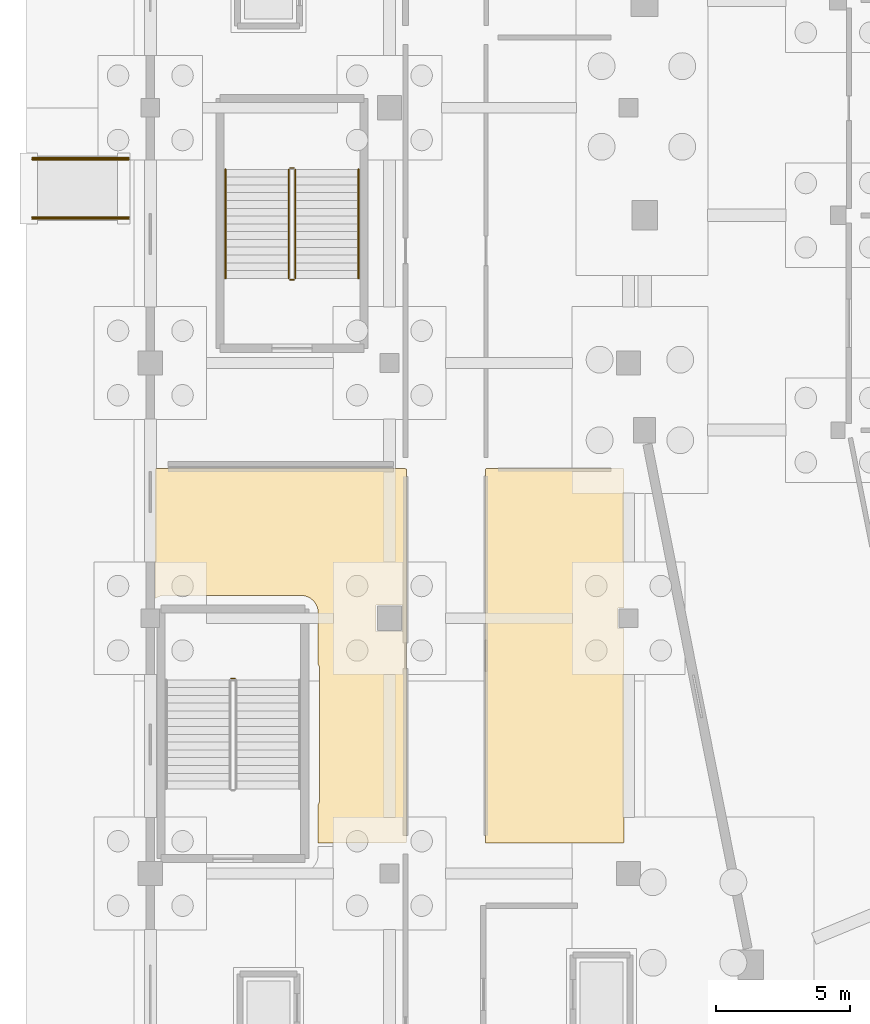
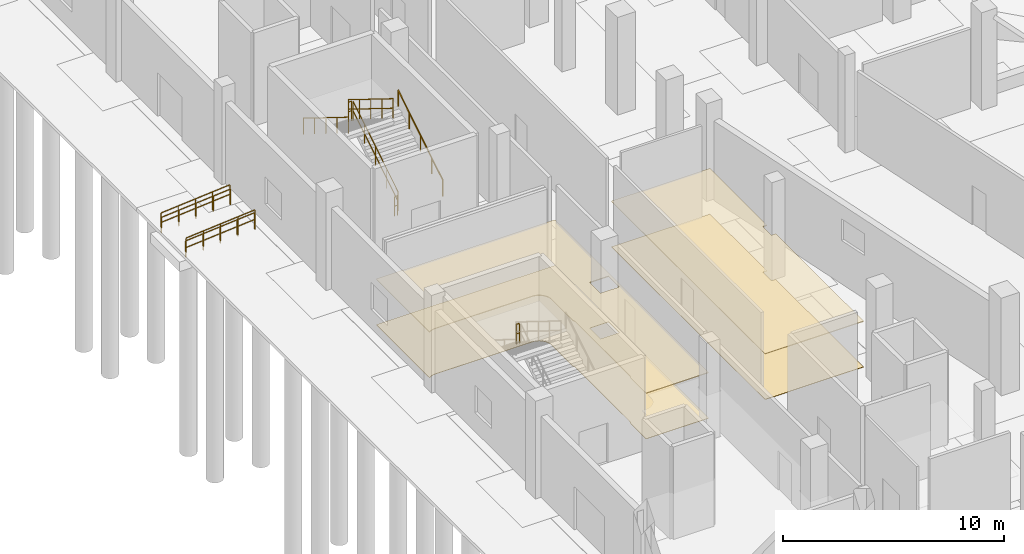
# One storey, part 52 of 68: 11 railings, 4 coverings.
"""IFC4 building model written with IfcOpenShell, lengths in metres."""

from ifc_helpers import new_model, si_unit, direction, frame, origin, origin_2d, place, context, subcontext, project, spatial, polyline, circle, outline, extrude, material, layer, layer_set, type_object, element, save


model = new_model("IFC4")

# Units and contexts
model_context = context("Model", 3, precision=1e-05, world=origin(), true_north=direction((0.0, 1.0)))
body_context = subcontext(model_context, "Body", "Model", "MODEL_VIEW")
ifc_project = project(units=[si_unit("LENGTHUNIT", "METRE"), si_unit("AREAUNIT", "SQUARE_METRE"), si_unit("VOLUMEUNIT", "CUBIC_METRE"), si_unit("PLANEANGLEUNIT", "RADIAN"), si_unit("MASSUNIT", "GRAM", prefix="KILO")], contexts=[model_context])

# Site, building, storey
site_placement = place(None, origin())
site = spatial("IfcSite", under=ifc_project, at=site_placement, CompositionType="ELEMENT")
building_placement = place(site_placement, origin())
building = spatial("IfcBuilding", under=site, at=building_placement, Name="Candeia Ridge Stadium", CompositionType="ELEMENT")
storey_placement = place(building_placement, origin())
storey = spatial("IfcBuildingStorey", under=building, at=storey_placement, Name="L00", CompositionType="ELEMENT", Elevation=0.0)

# Coverings
ifc_material_1 = material(Name="Perforated Acoustic Gypsum", Category="gypsum")
ifc_layer_1 = layer(ifc_material_1, 0.034912109375, Name="Perforated Acoustic Gypsum", Category="gypsum")
ifc_layer_set_1 = layer_set([ifc_layer_1], Name="Perforated Acoustic Gypsum")
covering_type_1 = type_object("IfcCoveringType", Name="Perforated Gypsum Acoustic Ceiling 35", PredefinedType="CEILING", material=ifc_layer_set_1)
covering_1_placement = place(storey_placement, frame((0.0, 0.0, 2.510009765625)))
element("IfcCovering", 1, at=covering_1_placement, inside=storey, type_object=covering_type_1, Name="Acoustic ceiling Match Officials & Referee Suite", PredefinedType="CEILING", context=body_context, shape_type="SweptSolid", body=[
    extrude(outline(polyline([(0.77001953125, 69.535888671875), (0.77001953125, 69.538818359375), (0.7705078125, 69.5419921875), (0.771240234375, 69.544677734375), (0.772216796875, 69.547607421875), (0.7734375, 69.550048828125), (0.775146484375, 69.552734375), (0.77685546875, 69.554931640625), (0.77880859375, 69.55712890625), (0.781005859375, 69.55908203125), (0.783203125, 69.560791015625), (0.785888671875, 69.5625), (0.78857421875, 69.563720703125), (0.791259765625, 69.564697265625), (0.794189453125, 69.5654296875), (0.797119140625, 69.56591796875), (0.800048828125, 69.56591796875), (10.10009765625, 69.56591796875), (10.102783203125, 69.56591796875), (10.10595703125, 69.5654296875), (10.108642578125, 69.564697265625), (10.111572265625, 69.563720703125), (10.114013671875, 69.5625), (10.11669921875, 69.560791015625), (10.118896484375, 69.55908203125), (10.12109375, 69.55712890625), (10.123291015625, 69.554931640625), (10.125, 69.552734375), (10.12646484375, 69.550048828125), (10.127685546875, 69.547607421875), (10.128662109375, 69.544677734375), (10.12939453125, 69.5419921875), (10.1298828125, 69.538818359375), (10.1298828125, 69.535888671875), (10.1298828125, 55.669921875), (10.1298828125, 55.6669921875), (10.12939453125, 55.6640625), (10.128662109375, 55.661376953125), (10.127685546875, 55.658447265625), (10.12646484375, 55.656005859375), (10.125, 55.6533203125), (10.123291015625, 55.65087890625), (10.12109375, 55.648681640625), (10.118896484375, 55.646728515625), (10.11669921875, 55.64501953125), (10.114013671875, 55.6435546875), (10.111572265625, 55.642333984375), (10.108642578125, 55.641357421875), (10.10595703125, 55.640625), (10.102783203125, 55.64013671875), (10.10009765625, 55.639892578125), (6.85009765625, 55.639892578125), (6.85009765625, 57.070556640625), (6.858642578125, 57.0849609375), (6.873291015625, 57.1162109375), (6.885009765625, 57.1484375), (6.893310546875, 57.181640625), (6.898193359375, 57.2158203125), (6.89990234375, 57.25), (6.89990234375, 62.110107421875), (6.898193359375, 62.144287109375), (6.893310546875, 62.17822265625), (6.885009765625, 62.211669921875), (6.873291015625, 62.243896484375), (6.858642578125, 62.27490234375), (6.85009765625, 62.28955078125), (6.85009765625, 64.199951171875), (6.849609375, 64.21728515625), (6.84814453125, 64.24658203125), (6.8447265625, 64.28076171875), (6.84033203125, 64.309814453125), (6.833740234375, 64.343505859375), (6.82666015625, 64.3720703125), (6.816650390625, 64.405029296875), (6.806640625, 64.4326171875), (6.793701171875, 64.46435546875), (6.781005859375, 64.4912109375), (6.764892578125, 64.521484375), (6.74951171875, 64.546630859375), (6.730712890625, 64.5751953125), (6.712890625, 64.598876953125), (6.691162109375, 64.62548828125), (6.67138671875, 64.647216796875), (6.647216796875, 64.67138671875), (6.62548828125, 64.691162109375), (6.598876953125, 64.712890625), (6.5751953125, 64.730712890625), (6.546630859375, 64.74951171875), (6.521484375, 64.764892578125), (6.4912109375, 64.781005859375), (6.46435546875, 64.793701171875), (6.4326171875, 64.806640625), (6.405029296875, 64.816650390625), (6.3720703125, 64.82666015625), (6.343505859375, 64.833740234375), (6.309814453125, 64.84033203125), (6.28076171875, 64.8447265625), (6.24658203125, 64.84814453125), (6.21728515625, 64.849609375), (6.199951171875, 64.85009765625), (1.14990234375, 64.85009765625), (1.1328125, 64.849609375), (1.103515625, 64.84814453125), (1.069091796875, 64.8447265625), (1.0400390625, 64.84033203125), (1.00634765625, 64.833740234375), (0.977783203125, 64.82666015625), (0.945068359375, 64.816650390625), (0.917236328125, 64.806640625), (0.885498046875, 64.793701171875), (0.85888671875, 64.781005859375), (0.82861328125, 64.764892578125), (0.803466796875, 64.74951171875), (0.77490234375, 64.730712890625), (0.77001953125, 64.72705078125), (0.77001953125, 69.535888671875)]), holes=[polyline([(9.989990234375, 64.489990234375), (9.010009765625, 64.489990234375), (9.010009765625, 63.510009765625), (9.989990234375, 63.510009765625), (9.989990234375, 64.489990234375)])]), origin(), (0.0, 0.0, 1.0), 0.0400390625),
])
covering_2_placement = place(storey_placement, frame((0.0, 0.0, 2.510009765625)))
element("IfcCovering", 2, at=covering_2_placement, inside=storey, type_object=covering_type_1, Name="Acoustic ceiling Match Officials & Referee Suite Annex", PredefinedType="CEILING", context=body_context, shape_type="SweptSolid", body=[
    extrude(outline(polyline([(13.093994140625, 55.640625), (13.09130859375, 55.641357421875), (13.08837890625, 55.642333984375), (13.0859375, 55.6435546875), (13.083251953125, 55.64501953125), (13.0810546875, 55.646728515625), (13.078857421875, 55.648681640625), (13.076904296875, 55.65087890625), (13.0751953125, 55.6533203125), (13.073486328125, 55.656005859375), (13.072265625, 55.658447265625), (13.0712890625, 55.661376953125), (13.070556640625, 55.6640625), (13.070068359375, 55.6669921875), (13.070068359375, 55.669921875), (13.070068359375, 69.535888671875), (13.070068359375, 69.538818359375), (13.070556640625, 69.5419921875), (13.0712890625, 69.544677734375), (13.072265625, 69.547607421875), (13.073486328125, 69.550048828125), (13.0751953125, 69.552734375), (13.076904296875, 69.554931640625), (13.078857421875, 69.55712890625), (13.0810546875, 69.55908203125), (13.083251953125, 69.560791015625), (13.0859375, 69.5625), (13.08837890625, 69.563720703125), (13.09130859375, 69.564697265625), (13.093994140625, 69.5654296875), (13.09716796875, 69.56591796875), (13.10009765625, 69.56591796875), (18.199951171875, 69.56591796875), (18.202880859375, 69.56591796875), (18.205810546875, 69.5654296875), (18.208740234375, 69.564697265625), (18.21142578125, 69.563720703125), (18.214111328125, 69.5625), (18.216796875, 69.560791015625), (18.218994140625, 69.55908203125), (18.22119140625, 69.55712890625), (18.22314453125, 69.554931640625), (18.224853515625, 69.552734375), (18.2265625, 69.550048828125), (18.227783203125, 69.547607421875), (18.228759765625, 69.544677734375), (18.2294921875, 69.5419921875), (18.22998046875, 69.538818359375), (18.22998046875, 69.535888671875), (18.22998046875, 64.389892578125), (18.010009765625, 64.389892578125), (18.010009765625, 63.610107421875), (18.22998046875, 63.610107421875), (18.22998046875, 55.669921875), (18.22998046875, 55.6669921875), (18.2294921875, 55.6640625), (18.228759765625, 55.661376953125), (18.227783203125, 55.658447265625), (18.2265625, 55.656005859375), (18.224853515625, 55.6533203125), (18.22314453125, 55.65087890625), (18.22119140625, 55.648681640625), (18.218994140625, 55.646728515625), (18.216796875, 55.64501953125), (18.214111328125, 55.6435546875), (18.21142578125, 55.642333984375), (18.208740234375, 55.641357421875), (18.205810546875, 55.640625), (18.202880859375, 55.64013671875), (18.199951171875, 55.639892578125), (13.10009765625, 55.639892578125), (13.09716796875, 55.64013671875), (13.093994140625, 55.640625)])), origin(), (0.0, 0.0, 1.0), 0.0400390625),
])
ifc_material_2 = material(Name="Vulcanized EPDM Sports Flooring", Category="wood")
ifc_layer_2 = layer(ifc_material_2, 0.02001953125, Name="Vulcanized EPDM Sports Flooring", Category="wood")
ifc_layer_set_2 = layer_set([ifc_layer_2], Name="Vulcanized EPDM Sports Flooring")
covering_type_2 = type_object("IfcCoveringType", Name="Sports Rubber Athlete Flooring 20", PredefinedType="FLOORING", material=ifc_layer_set_2)
covering_3_placement = place(storey_placement, origin())
element("IfcCovering", 3, at=covering_3_placement, inside=storey, type_object=covering_type_2, Name="Interior finish flooring Match Officials & Referee Suite", PredefinedType="FLOORING", context=body_context, shape_type="SweptSolid", body=[
    extrude(outline(polyline([(0.77001953125, 69.535888671875), (0.77001953125, 69.538818359375), (0.7705078125, 69.5419921875), (0.771240234375, 69.544677734375), (0.772216796875, 69.547607421875), (0.7734375, 69.550048828125), (0.775146484375, 69.552734375), (0.77685546875, 69.554931640625), (0.77880859375, 69.55712890625), (0.781005859375, 69.55908203125), (0.783203125, 69.560791015625), (0.785888671875, 69.5625), (0.78857421875, 69.563720703125), (0.791259765625, 69.564697265625), (0.794189453125, 69.5654296875), (0.797119140625, 69.56591796875), (0.800048828125, 69.56591796875), (10.10009765625, 69.56591796875), (10.102783203125, 69.56591796875), (10.10595703125, 69.5654296875), (10.108642578125, 69.564697265625), (10.111572265625, 69.563720703125), (10.114013671875, 69.5625), (10.11669921875, 69.560791015625), (10.118896484375, 69.55908203125), (10.12109375, 69.55712890625), (10.123291015625, 69.554931640625), (10.125, 69.552734375), (10.12646484375, 69.550048828125), (10.127685546875, 69.547607421875), (10.128662109375, 69.544677734375), (10.12939453125, 69.5419921875), (10.1298828125, 69.538818359375), (10.1298828125, 69.535888671875), (10.1298828125, 55.669921875), (10.1298828125, 55.6669921875), (10.12939453125, 55.6640625), (10.128662109375, 55.661376953125), (10.127685546875, 55.658447265625), (10.12646484375, 55.656005859375), (10.125, 55.6533203125), (10.123291015625, 55.65087890625), (10.12109375, 55.648681640625), (10.118896484375, 55.646728515625), (10.11669921875, 55.64501953125), (10.114013671875, 55.6435546875), (10.111572265625, 55.642333984375), (10.108642578125, 55.641357421875), (10.10595703125, 55.640625), (10.102783203125, 55.64013671875), (10.10009765625, 55.639892578125), (6.85009765625, 55.639892578125), (6.85009765625, 57.070556640625), (6.858642578125, 57.0849609375), (6.873291015625, 57.1162109375), (6.885009765625, 57.1484375), (6.893310546875, 57.181640625), (6.898193359375, 57.2158203125), (6.89990234375, 57.25), (6.89990234375, 62.110107421875), (6.898193359375, 62.144287109375), (6.893310546875, 62.17822265625), (6.885009765625, 62.211669921875), (6.873291015625, 62.243896484375), (6.858642578125, 62.27490234375), (6.85009765625, 62.28955078125), (6.85009765625, 64.199951171875), (6.849609375, 64.21728515625), (6.84814453125, 64.24658203125), (6.8447265625, 64.28076171875), (6.84033203125, 64.309814453125), (6.833740234375, 64.343505859375), (6.82666015625, 64.3720703125), (6.816650390625, 64.405029296875), (6.806640625, 64.4326171875), (6.793701171875, 64.46435546875), (6.781005859375, 64.4912109375), (6.764892578125, 64.521484375), (6.74951171875, 64.546630859375), (6.730712890625, 64.5751953125), (6.712890625, 64.598876953125), (6.691162109375, 64.62548828125), (6.67138671875, 64.647216796875), (6.647216796875, 64.67138671875), (6.62548828125, 64.691162109375), (6.598876953125, 64.712890625), (6.5751953125, 64.730712890625), (6.546630859375, 64.74951171875), (6.521484375, 64.764892578125), (6.4912109375, 64.781005859375), (6.46435546875, 64.793701171875), (6.4326171875, 64.806640625), (6.405029296875, 64.816650390625), (6.3720703125, 64.82666015625), (6.343505859375, 64.833740234375), (6.309814453125, 64.84033203125), (6.28076171875, 64.8447265625), (6.24658203125, 64.84814453125), (6.21728515625, 64.849609375), (6.199951171875, 64.85009765625), (1.14990234375, 64.85009765625), (1.1328125, 64.849609375), (1.103515625, 64.84814453125), (1.069091796875, 64.8447265625), (1.0400390625, 64.84033203125), (1.00634765625, 64.833740234375), (0.977783203125, 64.82666015625), (0.945068359375, 64.816650390625), (0.917236328125, 64.806640625), (0.885498046875, 64.793701171875), (0.85888671875, 64.781005859375), (0.82861328125, 64.764892578125), (0.803466796875, 64.74951171875), (0.77490234375, 64.730712890625), (0.77001953125, 64.72705078125), (0.77001953125, 69.535888671875)]), holes=[polyline([(9.989990234375, 64.489990234375), (9.010009765625, 64.489990234375), (9.010009765625, 63.510009765625), (9.989990234375, 63.510009765625), (9.989990234375, 64.489990234375)])]), origin(), (0.0, 0.0, 1.0), 0.02001953125),
])
covering_4_placement = place(storey_placement, origin())
element("IfcCovering", 4, at=covering_4_placement, inside=storey, type_object=covering_type_2, Name="Interior finish flooring Match Officials & Referee Suite Annex", PredefinedType="FLOORING", context=body_context, shape_type="SweptSolid", body=[
    extrude(outline(polyline([(13.093994140625, 55.640625), (13.09130859375, 55.641357421875), (13.08837890625, 55.642333984375), (13.0859375, 55.6435546875), (13.083251953125, 55.64501953125), (13.0810546875, 55.646728515625), (13.078857421875, 55.648681640625), (13.076904296875, 55.65087890625), (13.0751953125, 55.6533203125), (13.073486328125, 55.656005859375), (13.072265625, 55.658447265625), (13.0712890625, 55.661376953125), (13.070556640625, 55.6640625), (13.070068359375, 55.6669921875), (13.070068359375, 55.669921875), (13.070068359375, 69.535888671875), (13.070068359375, 69.538818359375), (13.070556640625, 69.5419921875), (13.0712890625, 69.544677734375), (13.072265625, 69.547607421875), (13.073486328125, 69.550048828125), (13.0751953125, 69.552734375), (13.076904296875, 69.554931640625), (13.078857421875, 69.55712890625), (13.0810546875, 69.55908203125), (13.083251953125, 69.560791015625), (13.0859375, 69.5625), (13.08837890625, 69.563720703125), (13.09130859375, 69.564697265625), (13.093994140625, 69.5654296875), (13.09716796875, 69.56591796875), (13.10009765625, 69.56591796875), (18.199951171875, 69.56591796875), (18.202880859375, 69.56591796875), (18.205810546875, 69.5654296875), (18.208740234375, 69.564697265625), (18.21142578125, 69.563720703125), (18.214111328125, 69.5625), (18.216796875, 69.560791015625), (18.218994140625, 69.55908203125), (18.22119140625, 69.55712890625), (18.22314453125, 69.554931640625), (18.224853515625, 69.552734375), (18.2265625, 69.550048828125), (18.227783203125, 69.547607421875), (18.228759765625, 69.544677734375), (18.2294921875, 69.5419921875), (18.22998046875, 69.538818359375), (18.22998046875, 69.535888671875), (18.22998046875, 64.389892578125), (18.010009765625, 64.389892578125), (18.010009765625, 63.610107421875), (18.22998046875, 63.610107421875), (18.22998046875, 55.669921875), (18.22998046875, 55.6669921875), (18.2294921875, 55.6640625), (18.228759765625, 55.661376953125), (18.227783203125, 55.658447265625), (18.2265625, 55.656005859375), (18.224853515625, 55.6533203125), (18.22314453125, 55.65087890625), (18.22119140625, 55.648681640625), (18.218994140625, 55.646728515625), (18.216796875, 55.64501953125), (18.214111328125, 55.6435546875), (18.21142578125, 55.642333984375), (18.208740234375, 55.641357421875), (18.205810546875, 55.640625), (18.202880859375, 55.64013671875), (18.199951171875, 55.639892578125), (13.10009765625, 55.639892578125), (13.09716796875, 55.64013671875), (13.093994140625, 55.640625)])), origin(), (0.0, 0.0, 1.0), 0.02001953125),
])

# Railings
ifc_material_3 = material(Name="Brushed Stainless Steel", Category="steel")
ifc_layer_3 = layer(ifc_material_3, 0.048095703125, Name="Brushed Stainless Steel", Category="steel")
ifc_layer_set_3 = layer_set([ifc_layer_3], Name="Brushed Stainless Steel")
railing_type_1 = type_object("IfcRailingType", Name="Stair Wall & Flight Handrail 900", PredefinedType="HANDRAIL", material=ifc_layer_set_3)
for number, where, name in (
    (5, (-3.800048828125, 78.919921875, -0.300048828125), "Accessible ramp handrail RMP-W1-L"),
    (6, (-3.800048828125, 81.080078125, -0.300048828125), "Accessible ramp handrail RMP-W1-R"),
):
    element("IfcRailing", number, at=place(storey_placement, frame(where)), inside=storey, type_object=railing_type_1, Name=name, PredefinedType="HANDRAIL", context=body_context, shape_type="SweptSolid", body=[
        extrude(circle(Radius=0.02392578125, at=origin_2d()), frame((0.0, 0.0, 0.8759765625), z_axis=(0.996544826035, 0.0, 0.083056665618), x_axis=(0.0, 1.0, 0.0)), (0.0, 0.0, 1.0), 3.612548828125),
        extrude(circle(Radius=0.02099609375, at=origin_2d()), origin(), (0.0, 0.0, 1.0), 0.851806640625),
        extrude(circle(Radius=0.02099609375, at=origin_2d()), frame((0.89990234375, 0.0, 0.074951171875)), (0.0, 0.0, 1.0), 0.851806640625),
        extrude(circle(Radius=0.02099609375, at=origin_2d()), frame((1.800048828125, 0.0, 0.14990234375)), (0.0, 0.0, 1.0), 0.851806640625),
        extrude(circle(Radius=0.02099609375, at=origin_2d()), frame((2.7001953125, 0.0, 0.22509765625)), (0.0, 0.0, 1.0), 0.851806640625),
        extrude(circle(Radius=0.02099609375, at=origin_2d()), frame((3.60009765625, 0.0, 0.300048828125)), (0.0, 0.0, 1.0), 0.851806640625),
    ])
railing_1_placement = place(storey_placement, frame((8.35009765625, 76.64990234375, 0.179931640625)))
element("IfcRailing", 7, at=railing_1_placement, inside=storey, type_object=railing_type_1, Name="L00 ST07 stair handrail 1", PredefinedType="HANDRAIL", context=body_context, shape_type="SweptSolid", body=[
    extrude(circle(Radius=0.02392578125, at=origin_2d()), frame((0.0, 0.0, 0.8759765625), z_axis=(0.0, 0.849641744969, 0.527360318194), x_axis=(-1.0, 0.0, 0.0)), (0.0, 0.0, 1.0), 4.778564453125),
    extrude(circle(Radius=0.02099609375, at=origin_2d()), origin(), (0.0, 0.0, 1.0), 0.851806640625),
    extrude(circle(Radius=0.02099609375, at=origin_2d()), frame((0.0, 1.01513671875, 0.6298828125)), (0.0, 0.0, 1.0), 0.851806640625),
    extrude(circle(Radius=0.02099609375, at=origin_2d()), frame((0.0, 2.030029296875, 1.260009765625)), (0.0, 0.0, 1.0), 0.851806640625),
    extrude(circle(Radius=0.02099609375, at=origin_2d()), frame((0.0, 3.044921875, 1.89013671875)), (0.0, 0.0, 1.0), 0.851806640625),
    extrude(circle(Radius=0.02099609375, at=origin_2d()), frame((0.0, 4.06005859375, 2.52001953125)), (0.0, 0.0, 1.0), 0.851806640625),
])
railing_2_placement = place(storey_placement, frame((3.39990234375, 80.7099609375, 2.8798828125)))
element("IfcRailing", 8, at=railing_2_placement, inside=storey, type_object=railing_type_1, Name="L00 ST07 stair handrail 2", PredefinedType="HANDRAIL", context=body_context, shape_type="SweptSolid", body=[
    extrude(circle(Radius=0.02392578125, at=origin_2d()), frame((0.0, 0.0, 0.8759765625), z_axis=(0.0, -0.849641744969, 0.527360318194), x_axis=(1.0, 0.0, 0.0)), (0.0, 0.0, 1.0), 4.778564453125),
    extrude(circle(Radius=0.02099609375, at=origin_2d()), origin(), (0.0, 0.0, 1.0), 0.851806640625),
    extrude(circle(Radius=0.02099609375, at=origin_2d()), frame((0.0, -1.01513671875, 0.6298828125)), (0.0, 0.0, 1.0), 0.851806640625),
    extrude(circle(Radius=0.02099609375, at=origin_2d()), frame((0.0, -2.030029296875, 1.260009765625)), (0.0, 0.0, 1.0), 0.851806640625),
    extrude(circle(Radius=0.02099609375, at=origin_2d()), frame((0.0, -3.044921875, 1.89013671875)), (0.0, 0.0, 1.0), 0.851806640625),
    extrude(circle(Radius=0.02099609375, at=origin_2d()), frame((0.0, -4.06005859375, 2.52001953125)), (0.0, 0.0, 1.0), 0.851806640625),
])
ifc_material_4 = material(Name="Galvanized Powder-Coated Steel", Category="steel")
ifc_layer_4 = layer(ifc_material_4, 0.06005859375, Name="Galvanized Powder-Coated Steel", Category="steel")
ifc_layer_set_4 = layer_set([ifc_layer_4], Name="Galvanized Powder-Coated Steel")
railing_type_2 = type_object("IfcRailingType", Name="Stair Well Guardrail 1100", PredefinedType="GUARDRAIL", material=ifc_layer_set_4)
railing_3_placement = place(storey_placement, frame((3.75, 61.760009765625, 2.699951171875)))
element("IfcRailing", 9, at=railing_3_placement, inside=storey, type_object=railing_type_2, Name="L00 ST05 stair guard 2", PredefinedType="GUARDRAIL", context=body_context, shape_type="SweptSolid", body=[
    extrude(circle(Radius=0.02392578125, at=origin_2d()), frame((0.0, 0.0, 1.076171875), z_axis=(-1.0, 0.0, 0.0), x_axis=(0.0, -1.0, 0.0)), (0.0, 0.0, 1.0), 0.14990234375),
    extrude(circle(Radius=0.02392578125, at=origin_2d()), frame((0.0, 0.0, 0.550048828125), z_axis=(-1.0, 0.0, 0.0), x_axis=(0.0, -1.0, 0.0)), (0.0, 0.0, 1.0), 0.14990234375),
    extrude(circle(Radius=0.02099609375, at=origin_2d()), origin(), (0.0, 0.0, 1.0), 1.052001953125),
    extrude(circle(Radius=0.02099609375, at=origin_2d()), frame((-0.14990234375, 0.0, 0.0)), (0.0, 0.0, 1.0), 1.052001953125),
])
railing_4_placement = place(storey_placement, frame((6.0, 76.64990234375, 0.179931640625)))
element("IfcRailing", 10, at=railing_4_placement, inside=storey, type_object=railing_type_2, Name="L00 ST07 stair guard 1", PredefinedType="GUARDRAIL", context=body_context, shape_type="SweptSolid", body=[
    extrude(circle(Radius=0.02392578125, at=origin_2d()), frame((0.0, 0.0, 1.076171875), z_axis=(0.0, 0.849641744969, 0.527360318194), x_axis=(-1.0, 0.0, 0.0)), (0.0, 0.0, 1.0), 4.778564453125),
    extrude(circle(Radius=0.02392578125, at=origin_2d()), frame((0.0, 0.0, 0.550048828125), z_axis=(0.0, 0.849641744969, 0.527360318194), x_axis=(-1.0, 0.0, 0.0)), (0.0, 0.0, 1.0), 4.778564453125),
    extrude(circle(Radius=0.02099609375, at=origin_2d()), origin(), (0.0, 0.0, 1.0), 1.052001953125),
    extrude(circle(Radius=0.02099609375, at=origin_2d()), frame((0.0, 1.01513671875, 0.6298828125)), (0.0, 0.0, 1.0), 1.052001953125),
    extrude(circle(Radius=0.02099609375, at=origin_2d()), frame((0.0, 2.030029296875, 1.260009765625)), (0.0, 0.0, 1.0), 1.052001953125),
    extrude(circle(Radius=0.02099609375, at=origin_2d()), frame((0.0, 3.044921875, 1.89013671875)), (0.0, 0.0, 1.0), 1.052001953125),
    extrude(circle(Radius=0.02099609375, at=origin_2d()), frame((0.0, 4.06005859375, 2.52001953125)), (0.0, 0.0, 1.0), 1.052001953125),
])
railing_5_placement = place(storey_placement, frame((5.949951171875, 80.760009765625, 2.699951171875)))
element("IfcRailing", 11, at=railing_5_placement, inside=storey, type_object=railing_type_2, Name="L00 ST07 stair guard 2", PredefinedType="GUARDRAIL", context=body_context, shape_type="SweptSolid", body=[
    extrude(circle(Radius=0.02392578125, at=origin_2d()), frame((0.0, 0.0, 1.076171875), z_axis=(-1.0, 0.0, 0.0), x_axis=(0.0, -1.0, 0.0)), (0.0, 0.0, 1.0), 0.14990234375),
    extrude(circle(Radius=0.02392578125, at=origin_2d()), frame((0.0, 0.0, 0.550048828125), z_axis=(-1.0, 0.0, 0.0), x_axis=(0.0, -1.0, 0.0)), (0.0, 0.0, 1.0), 0.14990234375),
    extrude(circle(Radius=0.02099609375, at=origin_2d()), origin(), (0.0, 0.0, 1.0), 1.052001953125),
    extrude(circle(Radius=0.02099609375, at=origin_2d()), frame((-0.14990234375, 0.0, 0.0)), (0.0, 0.0, 1.0), 1.052001953125),
])
railing_6_placement = place(storey_placement, frame((5.75, 80.7099609375, 2.8798828125)))
element("IfcRailing", 12, at=railing_6_placement, inside=storey, type_object=railing_type_2, Name="L00 ST07 stair guard 3", PredefinedType="GUARDRAIL", context=body_context, shape_type="SweptSolid", body=[
    extrude(circle(Radius=0.02392578125, at=origin_2d()), frame((0.0, 0.0, 1.076171875), z_axis=(0.0, -0.849641744969, 0.527360318194), x_axis=(1.0, 0.0, 0.0)), (0.0, 0.0, 1.0), 4.778564453125),
    extrude(circle(Radius=0.02392578125, at=origin_2d()), frame((0.0, 0.0, 0.550048828125), z_axis=(0.0, -0.849641744969, 0.527360318194), x_axis=(1.0, 0.0, 0.0)), (0.0, 0.0, 1.0), 4.778564453125),
    extrude(circle(Radius=0.02099609375, at=origin_2d()), origin(), (0.0, 0.0, 1.0), 1.052001953125),
    extrude(circle(Radius=0.02099609375, at=origin_2d()), frame((0.0, -1.01513671875, 0.6298828125)), (0.0, 0.0, 1.0), 1.052001953125),
    extrude(circle(Radius=0.02099609375, at=origin_2d()), frame((0.0, -2.030029296875, 1.260009765625)), (0.0, 0.0, 1.0), 1.052001953125),
    extrude(circle(Radius=0.02099609375, at=origin_2d()), frame((0.0, -3.044921875, 1.89013671875)), (0.0, 0.0, 1.0), 1.052001953125),
    extrude(circle(Radius=0.02099609375, at=origin_2d()), frame((0.0, -4.06005859375, 2.52001953125)), (0.0, 0.0, 1.0), 1.052001953125),
])
railing_7_placement = place(storey_placement, frame((5.949951171875, 76.60009765625, 0.0)))
element("IfcRailing", 13, at=railing_7_placement, inside=storey, type_object=railing_type_2, Name="L00 ST07 stair guard 4", PredefinedType="GUARDRAIL", context=body_context, shape_type="SweptSolid", body=[
    extrude(circle(Radius=0.02392578125, at=origin_2d()), frame((0.0, 0.0, 1.076171875), z_axis=(-1.0, 0.0, 0.0), x_axis=(0.0, -1.0, 0.0)), (0.0, 0.0, 1.0), 0.14990234375),
    extrude(circle(Radius=0.02392578125, at=origin_2d()), frame((0.0, 0.0, 0.550048828125), z_axis=(-1.0, 0.0, 0.0), x_axis=(0.0, -1.0, 0.0)), (0.0, 0.0, 1.0), 0.14990234375),
    extrude(circle(Radius=0.02099609375, at=origin_2d()), origin(), (0.0, 0.0, 1.0), 1.052001953125),
    extrude(circle(Radius=0.02099609375, at=origin_2d()), frame((-0.14990234375, 0.0, 0.0)), (0.0, 0.0, 1.0), 1.052001953125),
])
ifc_layer_5 = layer(ifc_material_4, 0.070068359375, Name="Galvanized Powder-Coated Steel", Category="steel")
ifc_layer_set_5 = layer_set([ifc_layer_5], Name="Galvanized Powder-Coated Steel")
railing_type_3 = type_object("IfcRailingType", Name="Vomitory Portal Guardrail 1100", PredefinedType="GUARDRAIL", material=ifc_layer_set_5)
for number, where, name in (
    (14, (-3.800048828125, 78.860107421875, -0.300048828125), "Accessible ramp guardrail RMP-W1-L"),
    (15, (-3.800048828125, 81.139892578125, -0.300048828125), "Accessible ramp guardrail RMP-W1-R"),
):
    element("IfcRailing", number, at=place(storey_placement, frame(where)), inside=storey, type_object=railing_type_3, Name=name, PredefinedType="GUARDRAIL", context=body_context, shape_type="SweptSolid", body=[
        extrude(circle(Radius=0.02392578125, at=origin_2d()), frame((0.0, 0.0, 1.076171875), z_axis=(0.996544826035, 0.0, 0.083056665618), x_axis=(0.0, 1.0, 0.0)), (0.0, 0.0, 1.0), 3.612548828125),
        extrude(circle(Radius=0.02392578125, at=origin_2d()), frame((0.0, 0.0, 0.550048828125), z_axis=(0.996544826035, 0.0, 0.083056665618), x_axis=(0.0, 1.0, 0.0)), (0.0, 0.0, 1.0), 3.612548828125),
        extrude(circle(Radius=0.02099609375, at=origin_2d()), origin(), (0.0, 0.0, 1.0), 1.052001953125),
        extrude(circle(Radius=0.02099609375, at=origin_2d()), frame((0.89990234375, 0.0, 0.074951171875)), (0.0, 0.0, 1.0), 1.052001953125),
        extrude(circle(Radius=0.02099609375, at=origin_2d()), frame((1.800048828125, 0.0, 0.14990234375)), (0.0, 0.0, 1.0), 1.052001953125),
        extrude(circle(Radius=0.02099609375, at=origin_2d()), frame((2.7001953125, 0.0, 0.22509765625)), (0.0, 0.0, 1.0), 1.052001953125),
        extrude(circle(Radius=0.02099609375, at=origin_2d()), frame((3.60009765625, 0.0, 0.300048828125)), (0.0, 0.0, 1.0), 1.052001953125),
    ])

save(model, "model.ifc")
